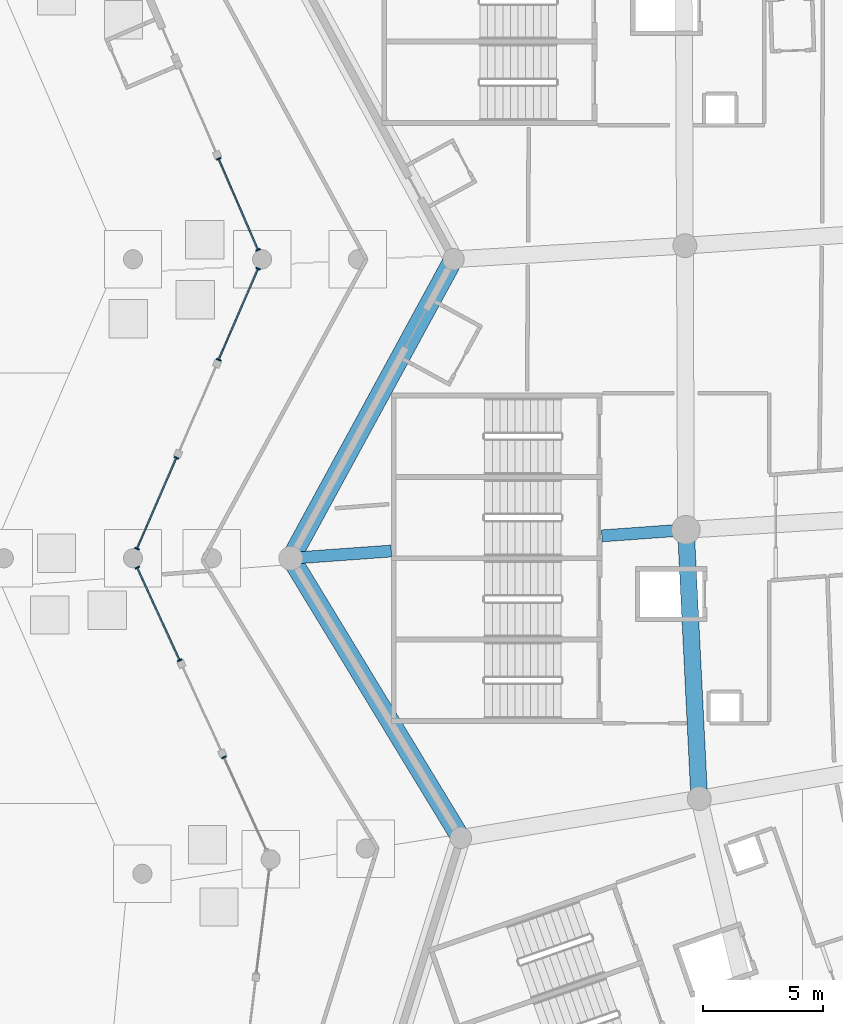
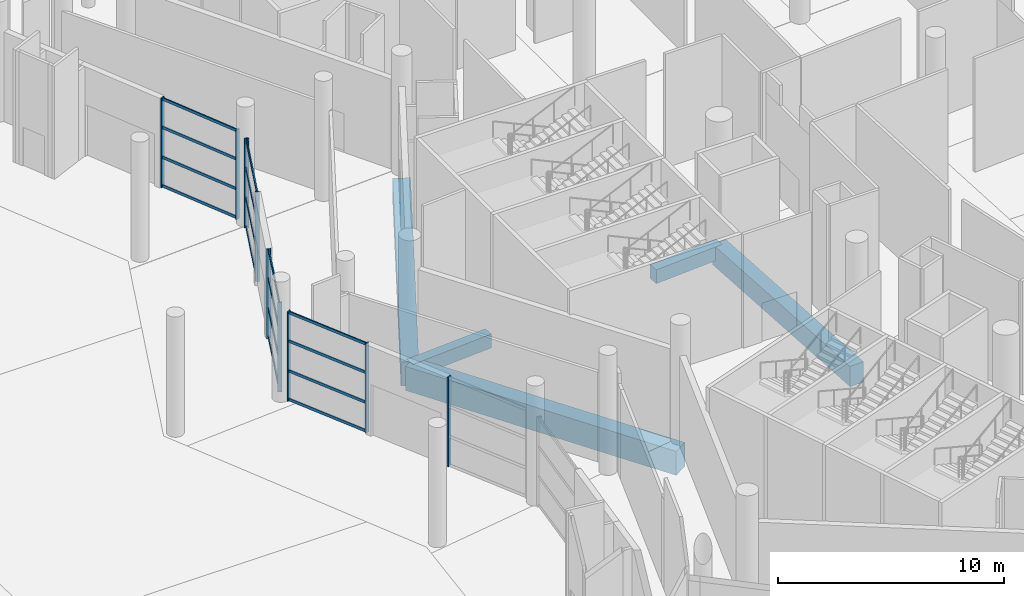
# One storey, part 24 of 255: 25 members, 5 beams, 5 elements without a shape of their own.
"""IFC4 building model written with IfcOpenShell, lengths in metres."""

from ifc_helpers import new_model, si_unit, direction, frame, origin, origin_2d, place, context, subcontext, project, spatial, rectangle, extrude, material, layer, layer_set, material_profile, profile_set, type_object, element, aggregate, save


model = new_model("IFC4")

# Units and contexts
model_context = context("Model", 3, precision=1e-05, world=origin(), true_north=direction((0.0, 1.0)))
body_context = subcontext(model_context, "Body", "Model", "MODEL_VIEW")
ifc_project = project(units=[si_unit("LENGTHUNIT", "METRE"), si_unit("AREAUNIT", "SQUARE_METRE"), si_unit("VOLUMEUNIT", "CUBIC_METRE"), si_unit("PLANEANGLEUNIT", "RADIAN"), si_unit("MASSUNIT", "GRAM", prefix="KILO")], contexts=[model_context])

# Site, building, storey
site_placement = place(None, origin())
site = spatial("IfcSite", under=ifc_project, at=site_placement, CompositionType="ELEMENT")
building_placement = place(site_placement, origin())
building = spatial("IfcBuilding", under=site, at=building_placement, Name="Meseta Stadium", CompositionType="ELEMENT")
storey_placement = place(building_placement, origin())
storey = spatial("IfcBuildingStorey", under=building, at=storey_placement, Name="L00", CompositionType="ELEMENT", Elevation=0.0)

# Beams
ifc_material_1 = material(Name="Concrete C40/50", Category="concrete")
ifc_material_profile_1 = material_profile(ifc_material_1, rectangle(XDim=0.5, YDim=0.75, at=origin_2d()), Name="RC 500x750")
ifc_profile_set_1 = profile_set([ifc_material_profile_1], Name="Concrete C40/50")
beam_type_1 = type_object("IfcBeamType", Name="RC beam 500x750", PredefinedType="BEAM", material=ifc_profile_set_1)
beam_1_placement = place(storey_placement, frame((-84.884033203125, -42.5615234375, -0.77490234375), z_axis=(-0.997422358581, -0.071754014547, 0.0), x_axis=(0.071754014547, -0.997422358581, 0.0)))
element("IfcBeam", 1, at=beam_1_placement, inside=storey, type_object=beam_type_1, Name="L00 radial beam frame 36 line P to R", PredefinedType="BEAM", context=body_context, shape_type="SweptSolid", body=[
    extrude(rectangle(XDim=0.5, YDim=0.75, at=origin_2d()), origin(), (0.0, 0.0, 1.0), 3.52490234375),
])
beam_2_placement = place(storey_placement, frame((-97.199951171875, -43.44775390625, -0.77490234375), z_axis=(-0.997420591967, -0.071778567276, 0.0), x_axis=(0.071778567276, -0.997420591967, 0.0)))
element("IfcBeam", 2, at=beam_2_placement, inside=storey, type_object=beam_type_1, Name="L00 radial beam frame 36 line P to R", PredefinedType="BEAM", context=body_context, shape_type="SweptSolid", body=[
    extrude(rectangle(XDim=0.5, YDim=0.75, at=origin_2d()), origin(), (0.0, 0.0, 1.0), 4.210693359375),
])
ifc_material_2 = material(Name="Concrete C40/50", Category="concrete")
ifc_material_profile_2 = material_profile(ifc_material_2, rectangle(XDim=0.699951171875, YDim=1.10009765625, at=origin_2d()), Name="RC 700x1100")
ifc_profile_set_2 = profile_set([ifc_material_profile_2], Name="Concrete C40/50")
beam_type_2 = type_object("IfcBeamType", Name="RC beam 700x1100", PredefinedType="BEAM", material=ifc_profile_set_2)
beam_3_placement = place(storey_placement, frame((-84.884033203125, -42.5615234375, -0.949951171875), z_axis=(0.049657379323, -0.998766311346, 0.0), x_axis=(0.998766311346, 0.049657379323, 0.0)))
element("IfcBeam", 3, at=beam_3_placement, inside=storey, type_object=beam_type_2, Name="L00 ring beam frame 36 line P", PredefinedType="BEAM", context=body_context, shape_type="SweptSolid", body=[
    extrude(rectangle(XDim=0.699951171875, YDim=1.10009765625, at=origin_2d()), origin(), (0.0, 0.0, 1.0), 11.25390625),
])
ifc_material_3 = material(Name="Concrete C40/50", Category="concrete")
ifc_material_profile_3 = material_profile(ifc_material_3, rectangle(XDim=0.800048828125, YDim=1.300048828125, at=origin_2d()), Name="RC 800x1300")
ifc_profile_set_3 = profile_set([ifc_material_profile_3], Name="Concrete C40/50")
beam_type_3 = type_object("IfcBeamType", Name="RC beam 800x1300", PredefinedType="BEAM", material=ifc_profile_set_3)
beam_4_placement = place(storey_placement, frame((-94.60009765625, -31.25, -1.050048828125), z_axis=(-0.47785649891, -0.878437912689, 0.0), x_axis=(0.878437912689, -0.47785649891, 0.0)))
element("IfcBeam", 4, at=beam_4_placement, inside=storey, type_object=beam_type_3, Name="L00 ring beam frame 35 line R", PredefinedType="BEAM", context=body_context, shape_type="SweptSolid", body=[
    extrude(rectangle(XDim=0.800048828125, YDim=1.300048828125, at=origin_2d()), origin(), (0.0, 0.0, 1.0), 14.229736328125),
])
beam_5_placement = place(storey_placement, frame((-101.39990234375, -43.75, -1.050048828125), z_axis=(0.519358064651, -0.854556727598, 0.0), x_axis=(0.854556727598, 0.519358064651, 0.0)))
element("IfcBeam", 5, at=beam_5_placement, inside=storey, type_object=beam_type_3, Name="L00 ring beam frame 36 line R", PredefinedType="BEAM", context=body_context, shape_type="SweptSolid", body=[
    extrude(rectangle(XDim=0.800048828125, YDim=1.300048828125, at=origin_2d()), origin(), (0.0, 0.0, 1.0), 13.68115234375),
])

# Curtain wall, members
ifc_material_4 = material(Name="Aluminium", Category="aluminium")
ifc_layer = layer(ifc_material_4, 0.199951171875)
ifc_layer_set = layer_set([ifc_layer], Name="Ring shopfront curtain wall")
curtain_wall_type = type_object("IfcCurtainWallType", Name="Ring shopfront curtain wall", PredefinedType="NOTDEFINED", material=ifc_layer_set)
curtain_wall_1_placement = place(storey_placement, origin())
curtain_wall_1 = element("IfcCurtainWall", 6, at=curtain_wall_1_placement, inside=storey, type_object=curtain_wall_type, Name="Shopfront glazing F34b", PredefinedType="NOTDEFINED")
ifc_material_5 = material(Name="Aluminium", Category="aluminium")
ifc_material_profile_4 = material_profile(ifc_material_5, rectangle(XDim=0.199951171875, YDim=0.06005859375, at=origin_2d()), Name="CW 200x60")
ifc_profile_set_4 = profile_set([ifc_material_profile_4], Name="Aluminium")
member_type_1 = type_object("IfcMemberType", Name="Ring CW mullion 60x200", PredefinedType="MULLION", material=ifc_profile_set_4)
member_1_placement = place(storey_placement, frame((-104.41552734375, -27.047119140625, 0.0), z_axis=(0.0, 0.0, 1.0), x_axis=(0.918001803218, 0.396576208678, 0.0)))
member_1 = element("IfcMember", 7, at=member_1_placement, type_object=member_type_1, Name="CWR1 mullion 1", PredefinedType="MULLION", context=body_context, shape_type="SweptSolid", body=[
    extrude(rectangle(XDim=0.199951171875, YDim=0.06005859375, at=origin_2d()), origin(), (0.0, 0.0, 1.0), 4.85009765625),
])
member_2_placement = place(storey_placement, frame((-102.7705078125, -30.855224609375, 0.0), z_axis=(0.0, 0.0, 1.0), x_axis=(0.918001803218, 0.396576208678, 0.0)))
member_2 = element("IfcMember", 8, at=member_2_placement, type_object=member_type_1, Name="CWR1 mullion 2", PredefinedType="MULLION", context=body_context, shape_type="SweptSolid", body=[
    extrude(rectangle(XDim=0.199951171875, YDim=0.06005859375, at=origin_2d()), origin(), (0.0, 0.0, 1.0), 4.85009765625),
])

curtain_wall_2_placement = place(storey_placement, origin())
curtain_wall_2 = element("IfcCurtainWall", 9, at=curtain_wall_2_placement, inside=storey, type_object=curtain_wall_type, Name="Shopfront glazing F35a", PredefinedType="NOTDEFINED")
member_3_placement = place(storey_placement, frame((-102.7705078125, -31.644775390625, 0.0), z_axis=(0.0, 0.0, 1.0), x_axis=(0.918001803218, -0.396576208678, 0.0)))
member_3 = element("IfcMember", 10, at=member_3_placement, type_object=member_type_1, Name="CWR1 mullion 1", PredefinedType="MULLION", context=body_context, shape_type="SweptSolid", body=[
    extrude(rectangle(XDim=0.199951171875, YDim=0.06005859375, at=origin_2d()), origin(), (0.0, 0.0, 1.0), 4.85009765625),
])
member_4_placement = place(storey_placement, frame((-104.41552734375, -35.452880859375, 0.0), z_axis=(0.0, 0.0, 1.0), x_axis=(0.918001803218, -0.396576208678, 0.0)))
member_4 = element("IfcMember", 11, at=member_4_placement, type_object=member_type_1, Name="CWR1 mullion 2", PredefinedType="MULLION", context=body_context, shape_type="SweptSolid", body=[
    extrude(rectangle(XDim=0.199951171875, YDim=0.06005859375, at=origin_2d()), origin(), (0.0, 0.0, 1.0), 4.85009765625),
])

curtain_wall_3_placement = place(storey_placement, origin())
curtain_wall_3 = element("IfcCurtainWall", 12, at=curtain_wall_3_placement, inside=storey, type_object=curtain_wall_type, Name="Shopfront glazing F35b", PredefinedType="NOTDEFINED")
member_5_placement = place(storey_placement, frame((-106.184326171875, -39.547119140625, 0.0), z_axis=(0.0, 0.0, 1.0), x_axis=(0.918001803218, -0.396576208678, 0.0)))
member_5 = element("IfcMember", 13, at=member_5_placement, type_object=member_type_1, Name="CWR1 mullion 1", PredefinedType="MULLION", context=body_context, shape_type="SweptSolid", body=[
    extrude(rectangle(XDim=0.199951171875, YDim=0.06005859375, at=origin_2d()), origin(), (0.0, 0.0, 1.0), 4.85009765625),
])
member_6_placement = place(storey_placement, frame((-107.82958984375, -43.355224609375, 0.0), z_axis=(0.0, 0.0, 1.0), x_axis=(0.918001803218, -0.396576208678, 0.0)))
member_6 = element("IfcMember", 14, at=member_6_placement, type_object=member_type_1, Name="CWR1 mullion 2", PredefinedType="MULLION", context=body_context, shape_type="SweptSolid", body=[
    extrude(rectangle(XDim=0.199951171875, YDim=0.06005859375, at=origin_2d()), origin(), (0.0, 0.0, 1.0), 4.85009765625),
])

curtain_wall_4_placement = place(storey_placement, origin())
curtain_wall_4 = element("IfcCurtainWall", 15, at=curtain_wall_4_placement, inside=storey, type_object=curtain_wall_type, Name="Shopfront glazing F36a", PredefinedType="NOTDEFINED")
member_7_placement = place(storey_placement, frame((-107.8212890625, -44.14111328125, 0.0), z_axis=(0.0, 0.0, 1.0), x_axis=(0.909427208853, 0.415863140706, 0.0)))
member_7 = element("IfcMember", 16, at=member_7_placement, type_object=member_type_1, Name="CWR1 mullion 1", PredefinedType="MULLION", context=body_context, shape_type="SweptSolid", body=[
    extrude(rectangle(XDim=0.199951171875, YDim=0.06005859375, at=origin_2d()), origin(), (0.0, 0.0, 1.0), 4.85009765625),
])
member_8_placement = place(storey_placement, frame((-106.049560546875, -48.015625, 0.0), z_axis=(0.0, 0.0, 1.0), x_axis=(0.909427208853, 0.415863140706, 0.0)))
member_8 = element("IfcMember", 17, at=member_8_placement, type_object=member_type_1, Name="CWR1 mullion 2", PredefinedType="MULLION", context=body_context, shape_type="SweptSolid", body=[
    extrude(rectangle(XDim=0.199951171875, YDim=0.06005859375, at=origin_2d()), origin(), (0.0, 0.0, 1.0), 4.85009765625),
])

# Curtain wall, member
curtain_wall_5_placement = place(storey_placement, origin())
curtain_wall_5 = element("IfcCurtainWall", 18, at=curtain_wall_5_placement, inside=storey, type_object=curtain_wall_type, Name="Shopfront glazing F36b", PredefinedType="NOTDEFINED")
member_9_placement = place(storey_placement, frame((-104.19482421875, -52.071533203125, 0.0), z_axis=(0.0, 0.0, 1.0), x_axis=(0.909427208853, 0.415863140706, 0.0)))
member_9 = element("IfcMember", 19, at=member_9_placement, type_object=member_type_1, Name="CWR1 mullion 1", PredefinedType="MULLION", context=body_context, shape_type="SweptSolid", body=[
    extrude(rectangle(XDim=0.199951171875, YDim=0.06005859375, at=origin_2d()), origin(), (0.0, 0.0, 1.0), 4.85009765625),
])
aggregate(curtain_wall_5, [member_9])

# Member
ifc_material_6 = material(Name="Aluminium", Category="aluminium")
ifc_material_profile_5 = material_profile(ifc_material_6, rectangle(XDim=0.06005859375, YDim=0.14990234375, at=origin_2d()), Name="CW 60x150")
ifc_profile_set_5 = profile_set([ifc_material_profile_5], Name="Aluminium")
member_type_2 = type_object("IfcMemberType", Name="Ring CW transom 60x150", PredefinedType="USERDEFINED", material=ifc_profile_set_5)
member_10_placement = place(storey_placement, frame((-104.40380859375, -27.07470703125, 0.074951171875), z_axis=(0.396591585893, -0.917995160118, 0.0), x_axis=(0.917995160118, 0.396591585893, 0.0)))
member_10 = element("IfcMember", 20, at=member_10_placement, type_object=member_type_2, Name="CWR1 transom 1.1", ObjectType="TRANSOM", PredefinedType="USERDEFINED", context=body_context, shape_type="SweptSolid", body=[
    extrude(rectangle(XDim=0.06005859375, YDim=0.14990234375, at=origin_2d()), origin(), (0.0, 0.0, 1.0), 4.088134765625),
])

member_11_placement = place(storey_placement, frame((-104.40380859375, -27.07470703125, 1.61669921875), z_axis=(0.396591585893, -0.917995160118, 0.0), x_axis=(0.917995160118, 0.396591585893, 0.0)))
member_11 = element("IfcMember", 21, at=member_11_placement, type_object=member_type_2, Name="CWR1 transom 1.2", ObjectType="TRANSOM", PredefinedType="USERDEFINED", context=body_context, shape_type="SweptSolid", body=[
    extrude(rectangle(XDim=0.06005859375, YDim=0.14990234375, at=origin_2d()), origin(), (0.0, 0.0, 1.0), 4.088134765625),
])

member_12_placement = place(storey_placement, frame((-104.40380859375, -27.07470703125, 3.2333984375), z_axis=(0.396591585893, -0.917995160118, 0.0), x_axis=(0.917995160118, 0.396591585893, 0.0)))
member_12 = element("IfcMember", 22, at=member_12_placement, type_object=member_type_2, Name="CWR1 transom 1.3", ObjectType="TRANSOM", PredefinedType="USERDEFINED", context=body_context, shape_type="SweptSolid", body=[
    extrude(rectangle(XDim=0.06005859375, YDim=0.14990234375, at=origin_2d()), origin(), (0.0, 0.0, 1.0), 4.088134765625),
])

member_13_placement = place(storey_placement, frame((-104.40380859375, -27.07470703125, 4.77490234375), z_axis=(0.396591585893, -0.917995160118, 0.0), x_axis=(0.917995160118, 0.396591585893, 0.0)))
member_13 = element("IfcMember", 23, at=member_13_placement, type_object=member_type_2, Name="CWR1 transom 1.4", ObjectType="TRANSOM", PredefinedType="USERDEFINED", context=body_context, shape_type="SweptSolid", body=[
    extrude(rectangle(XDim=0.06005859375, YDim=0.14990234375, at=origin_2d()), origin(), (0.0, 0.0, 1.0), 4.088134765625),
])

aggregate(curtain_wall_1, [member_1, member_2, member_10, member_11, member_12, member_13])

member_14_placement = place(storey_placement, frame((-102.782470703125, -31.67236328125, 0.074951171875), z_axis=(-0.396591585893, -0.917995160118, 0.0), x_axis=(0.917995160118, -0.396591585893, 0.0)))
member_14 = element("IfcMember", 24, at=member_14_placement, type_object=member_type_2, Name="CWR1 transom 1.1", ObjectType="TRANSOM", PredefinedType="USERDEFINED", context=body_context, shape_type="SweptSolid", body=[
    extrude(rectangle(XDim=0.06005859375, YDim=0.14990234375, at=origin_2d()), origin(), (0.0, 0.0, 1.0), 4.088134765625),
])

member_15_placement = place(storey_placement, frame((-102.782470703125, -31.67236328125, 1.61669921875), z_axis=(-0.396591585893, -0.917995160118, 0.0), x_axis=(0.917995160118, -0.396591585893, 0.0)))
member_15 = element("IfcMember", 25, at=member_15_placement, type_object=member_type_2, Name="CWR1 transom 1.2", ObjectType="TRANSOM", PredefinedType="USERDEFINED", context=body_context, shape_type="SweptSolid", body=[
    extrude(rectangle(XDim=0.06005859375, YDim=0.14990234375, at=origin_2d()), origin(), (0.0, 0.0, 1.0), 4.088134765625),
])

member_16_placement = place(storey_placement, frame((-102.782470703125, -31.67236328125, 3.2333984375), z_axis=(-0.396591585893, -0.917995160118, 0.0), x_axis=(0.917995160118, -0.396591585893, 0.0)))
member_16 = element("IfcMember", 26, at=member_16_placement, type_object=member_type_2, Name="CWR1 transom 1.3", ObjectType="TRANSOM", PredefinedType="USERDEFINED", context=body_context, shape_type="SweptSolid", body=[
    extrude(rectangle(XDim=0.06005859375, YDim=0.14990234375, at=origin_2d()), origin(), (0.0, 0.0, 1.0), 4.088134765625),
])

member_17_placement = place(storey_placement, frame((-102.782470703125, -31.67236328125, 4.77490234375), z_axis=(-0.396591585893, -0.917995160118, 0.0), x_axis=(0.917995160118, -0.396591585893, 0.0)))
member_17 = element("IfcMember", 27, at=member_17_placement, type_object=member_type_2, Name="CWR1 transom 1.4", ObjectType="TRANSOM", PredefinedType="USERDEFINED", context=body_context, shape_type="SweptSolid", body=[
    extrude(rectangle(XDim=0.06005859375, YDim=0.14990234375, at=origin_2d()), origin(), (0.0, 0.0, 1.0), 4.088134765625),
])

aggregate(curtain_wall_2, [member_3, member_4, member_14, member_15, member_16, member_17])

member_18_placement = place(storey_placement, frame((-106.1962890625, -39.57470703125, 0.074951171875), z_axis=(-0.396591585893, -0.917995160118, 0.0), x_axis=(0.917995160118, -0.396591585893, 0.0)))
member_18 = element("IfcMember", 28, at=member_18_placement, type_object=member_type_2, Name="CWR1 transom 1.1", ObjectType="TRANSOM", PredefinedType="USERDEFINED", context=body_context, shape_type="SweptSolid", body=[
    extrude(rectangle(XDim=0.06005859375, YDim=0.14990234375, at=origin_2d()), origin(), (0.0, 0.0, 1.0), 4.088134765625),
])

member_19_placement = place(storey_placement, frame((-106.1962890625, -39.57470703125, 1.61669921875), z_axis=(-0.396591585893, -0.917995160118, 0.0), x_axis=(0.917995160118, -0.396591585893, 0.0)))
member_19 = element("IfcMember", 29, at=member_19_placement, type_object=member_type_2, Name="CWR1 transom 1.2", ObjectType="TRANSOM", PredefinedType="USERDEFINED", context=body_context, shape_type="SweptSolid", body=[
    extrude(rectangle(XDim=0.06005859375, YDim=0.14990234375, at=origin_2d()), origin(), (0.0, 0.0, 1.0), 4.088134765625),
])

member_20_placement = place(storey_placement, frame((-106.1962890625, -39.57470703125, 3.2333984375), z_axis=(-0.396591585893, -0.917995160118, 0.0), x_axis=(0.917995160118, -0.396591585893, 0.0)))
member_20 = element("IfcMember", 30, at=member_20_placement, type_object=member_type_2, Name="CWR1 transom 1.3", ObjectType="TRANSOM", PredefinedType="USERDEFINED", context=body_context, shape_type="SweptSolid", body=[
    extrude(rectangle(XDim=0.06005859375, YDim=0.14990234375, at=origin_2d()), origin(), (0.0, 0.0, 1.0), 4.088134765625),
])

member_21_placement = place(storey_placement, frame((-106.1962890625, -39.57470703125, 4.77490234375), z_axis=(-0.396591585893, -0.917995160118, 0.0), x_axis=(0.917995160118, -0.396591585893, 0.0)))
member_21 = element("IfcMember", 31, at=member_21_placement, type_object=member_type_2, Name="CWR1 transom 1.4", ObjectType="TRANSOM", PredefinedType="USERDEFINED", context=body_context, shape_type="SweptSolid", body=[
    extrude(rectangle(XDim=0.06005859375, YDim=0.14990234375, at=origin_2d()), origin(), (0.0, 0.0, 1.0), 4.088134765625),
])

aggregate(curtain_wall_3, [member_5, member_6, member_18, member_19, member_20, member_21])

member_22_placement = place(storey_placement, frame((-107.808837890625, -44.16845703125, 0.074951171875), z_axis=(0.415882010627, -0.909418579773, 0.0), x_axis=(0.909418579773, 0.415882010627, 0.0)))
member_22 = element("IfcMember", 32, at=member_22_placement, type_object=member_type_2, Name="CWR1 transom 1.1", ObjectType="TRANSOM", PredefinedType="USERDEFINED", context=body_context, shape_type="SweptSolid", body=[
    extrude(rectangle(XDim=0.06005859375, YDim=0.14990234375, at=origin_2d()), origin(), (0.0, 0.0, 1.0), 4.2001953125),
])

member_23_placement = place(storey_placement, frame((-107.808837890625, -44.16845703125, 1.61669921875), z_axis=(0.415882010627, -0.909418579773, 0.0), x_axis=(0.909418579773, 0.415882010627, 0.0)))
member_23 = element("IfcMember", 33, at=member_23_placement, type_object=member_type_2, Name="CWR1 transom 1.2", ObjectType="TRANSOM", PredefinedType="USERDEFINED", context=body_context, shape_type="SweptSolid", body=[
    extrude(rectangle(XDim=0.06005859375, YDim=0.14990234375, at=origin_2d()), origin(), (0.0, 0.0, 1.0), 4.2001953125),
])

member_24_placement = place(storey_placement, frame((-107.808837890625, -44.16845703125, 3.2333984375), z_axis=(0.415882010627, -0.909418579773, 0.0), x_axis=(0.909418579773, 0.415882010627, 0.0)))
member_24 = element("IfcMember", 34, at=member_24_placement, type_object=member_type_2, Name="CWR1 transom 1.3", ObjectType="TRANSOM", PredefinedType="USERDEFINED", context=body_context, shape_type="SweptSolid", body=[
    extrude(rectangle(XDim=0.06005859375, YDim=0.14990234375, at=origin_2d()), origin(), (0.0, 0.0, 1.0), 4.2001953125),
])

member_25_placement = place(storey_placement, frame((-107.808837890625, -44.16845703125, 4.77490234375), z_axis=(0.415882010627, -0.909418579773, 0.0), x_axis=(0.909418579773, 0.415882010627, 0.0)))
member_25 = element("IfcMember", 35, at=member_25_placement, type_object=member_type_2, Name="CWR1 transom 1.4", ObjectType="TRANSOM", PredefinedType="USERDEFINED", context=body_context, shape_type="SweptSolid", body=[
    extrude(rectangle(XDim=0.06005859375, YDim=0.14990234375, at=origin_2d()), origin(), (0.0, 0.0, 1.0), 4.2001953125),
])

aggregate(curtain_wall_4, [member_7, member_8, member_22, member_23, member_24, member_25])

save(model, "model.ifc")
